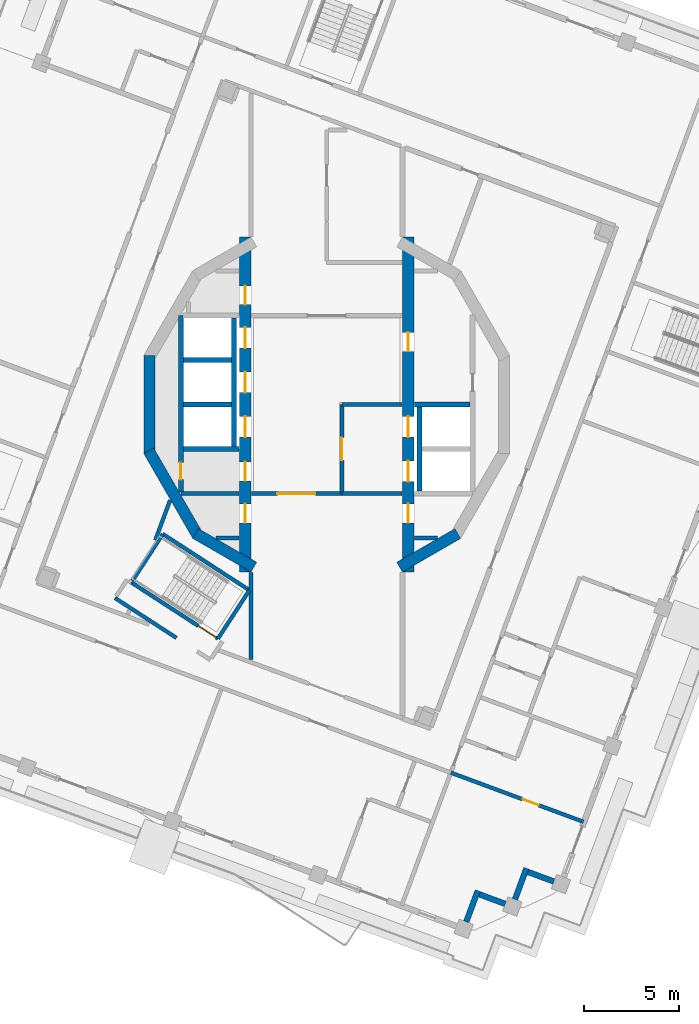
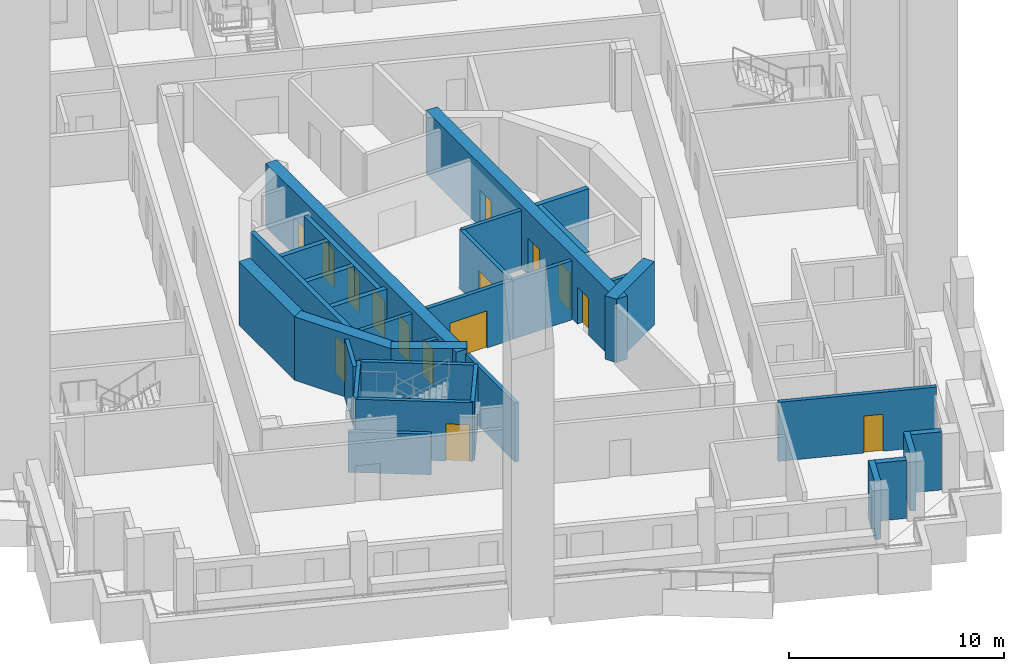
# One storey, part 4 of 20: 32 walls, 15 doors, 15 openings.
"""IFC4 building model written with IfcOpenShell, lengths in metres."""

from ifc_helpers import new_model, si_unit, direction, frame, frame_2d, origin, place, context, subcontext, project, spatial, rectangle, extrude, material, layer, layer_set, type_object, element, fill, save


model = new_model("IFC4")

# Units and contexts
model_context = context("Model", 3, precision=1e-05, world=origin(), true_north=direction((0.0, 1.0)))
body_context = subcontext(model_context, "Body", "Model", "MODEL_VIEW")
ifc_project = project(units=[si_unit("LENGTHUNIT", "METRE"), si_unit("AREAUNIT", "SQUARE_METRE"), si_unit("VOLUMEUNIT", "CUBIC_METRE"), si_unit("PLANEANGLEUNIT", "RADIAN"), si_unit("MASSUNIT", "GRAM", prefix="KILO")], contexts=[model_context])

# Site, building, storey
site_placement = place(None, origin())
site = spatial("IfcSite", under=ifc_project, at=site_placement, CompositionType="ELEMENT")
building_placement = place(site_placement, origin())
building = spatial("IfcBuilding", under=site, at=building_placement, Name="Cantera Rosa Tower", CompositionType="ELEMENT")
storey_placement = place(building_placement, frame((0.0, 0.0, 306.10009765625)))
storey = spatial("IfcBuildingStorey", under=building, at=storey_placement, Name="L67", CompositionType="ELEMENT", Elevation=306.10009765625)

# Walls
ifc_material_1 = material(Name="Gypsum board partition")
ifc_layer_1 = layer(ifc_material_1, 0.199951171875)
ifc_layer_set_1 = layer_set([ifc_layer_1], Name="CORRIDOR WALL 200 H2300")
wall_type_1 = type_object("IfcWallType", Name="CORRIDOR WALL 200 H2300", PredefinedType="PARTITIONING", material=ifc_layer_set_1)
wall_1_placement = place(storey_placement, frame((-11.177490234375, -10.216552734375, 0.0), z_axis=(0.0, 0.0, 1.0), x_axis=(0.83867589464, -0.544630832537, 0.0)))
element("IfcWall", 1, at=wall_1_placement, inside=storey, type_object=wall_type_1, Name="CORRIDOR WALL L67-011", PredefinedType="PARTITIONING", context=body_context, shape_type="SweptSolid", body=[
    extrude(rectangle(XDim=3.864990234375, YDim=0.199951171875, at=frame_2d((1.9326171875, 0.0))), origin(), (0.0, 0.0, 1.0), 2.2998046875),
])
ifc_material_2 = material(Name="Gypsum board partition")
ifc_layer_2 = layer(ifc_material_2, 0.199951171875)
ifc_layer_set_2 = layer_set([ifc_layer_2], Name="CORRIDOR WALL 200 H3350")
wall_type_2 = type_object("IfcWallType", Name="CORRIDOR WALL 200 H3350", PredefinedType="PARTITIONING", material=ifc_layer_set_2)
wall_2_placement = place(storey_placement, frame((-4.0, -13.468017578125, 0.0), z_axis=(0.0, 0.0, 1.0), x_axis=(0.0, 1.0, 0.0)))
element("IfcWall", 2, at=wall_2_placement, inside=storey, type_object=wall_type_2, Name="CORRIDOR WALL L67-044", PredefinedType="PARTITIONING", context=body_context, shape_type="SweptSolid", body=[
    extrude(rectangle(XDim=4.589111328125, YDim=0.199951171875, at=frame_2d((2.29443359375, 0.0))), origin(), (0.0, 0.0, 1.0), 3.349853515625),
])

# Wall, opening, door
wall_3_placement = place(storey_placement, frame((0.800048828125, -4.699951171875, 0.0), z_axis=(0.0, 0.0, 1.0), x_axis=(-1.0, 0.0, 0.0)))
wall_3 = element("IfcWall", 3, at=wall_3_placement, inside=storey, type_object=wall_type_2, Name="CORRIDOR WALL L67-054", PredefinedType="PARTITIONING", context=body_context, shape_type="SweptSolid", body=[
    extrude(rectangle(XDim=4.77001953125, YDim=0.199951171875, at=frame_2d((2.385009765625, 0.0))), origin(), (0.0, 0.0, 1.0), 3.349853515625),
])
opening_1_placement = place(wall_3_placement, frame((1.39990234375, 0.0, 0.0)))
opening_1 = element("IfcOpeningElement", 4, at=opening_1_placement, cuts=wall_3, Name="Opening L67-012", PredefinedType="OPENING", context=body_context, shape_type="SweptSolid", body=[
    extrude(rectangle(XDim=2.0, YDim=2.10009765625, at=frame_2d((1.0, 1.050048828125))), frame((0.0, 0.10986328125, 0.0), z_axis=(0.0, -1.0, 0.0), x_axis=(1.0, 0.0, 0.0)), (0.0, 0.0, 1.0), 0.219970703125),
])
ifc_material_3 = material(Name="Steel S355J2 (EN 10025-2)", Category="steel")
door_type_1 = type_object("IfcDoorType", Name="LOBBY SCREEN DOOR 2000x2100", OperationType="NOTDEFINED", PredefinedType="DOOR", material=ifc_material_3)
door_1_placement = place(opening_1_placement, origin())
door_1 = element("IfcDoor", 5, at=door_1_placement, inside=storey, type_object=door_type_1, Name="DOOR L67-012", OperationType="NOTDEFINED", OverallHeight=2.10009765625, OverallWidth=2.0, PredefinedType="DOOR", context=body_context, shape_type="SweptSolid", body=[
    extrude(rectangle(XDim=2.0, YDim=2.10009765625, at=frame_2d((1.0, 1.050048828125))), frame((0.0, 0.02490234375, 0.0), z_axis=(0.0, -1.0, 0.0), x_axis=(1.0, 0.0, 0.0)), (0.0, 0.0, 1.0), 0.050048828125),
])
fill(opening_1, door_1)

# Walls
ifc_material_4 = material(Name="Hollow clay masonry with cantera stone cladding", Category="masonry")
ifc_layer_3 = layer(ifc_material_4, 0.300048828125)
ifc_layer_set_3 = layer_set([ifc_layer_3], Name="EW-LOGGIA 300")
wall_type_3 = type_object("IfcWallType", Name="EW-LOGGIA 300", PredefinedType="SOLIDWALL", material=ifc_layer_set_3)
wall_4_placement = place(storey_placement, frame((7.36865234375, -27.312255859375, 0.0), z_axis=(0.0, 0.0, 1.0), x_axis=(0.34752790836, 0.937669639538, 0.0)))
element("IfcWall", 6, at=wall_4_placement, inside=storey, type_object=wall_type_3, Name="EN-L67-W18a", PredefinedType="SOLIDWALL", context=body_context, shape_type="SweptSolid", body=[
    extrude(rectangle(XDim=1.75, YDim=0.300048828125, at=frame_2d((0.875, 0.0))), origin(), (0.0, 0.0, 1.0), 3.2998046875),
])
wall_5_placement = place(storey_placement, frame((8.065185546875, -25.8642578125, 0.0), z_axis=(0.0, 0.0, 1.0), x_axis=(0.937671557958, -0.347522732201, 0.0)))
element("IfcWall", 7, at=wall_5_placement, inside=storey, type_object=wall_type_3, Name="EN-L67-W18b", PredefinedType="SOLIDWALL", context=body_context, shape_type="SweptSolid", body=[
    extrude(rectangle(XDim=1.449951171875, YDim=0.300048828125, at=frame_2d((0.72509765625, 0.0))), origin(), (0.0, 0.0, 1.0), 3.2998046875),
])
wall_6_placement = place(storey_placement, frame((9.93896484375, -26.132080078125, 0.0), z_axis=(0.0, 0.0, 1.0), x_axis=(0.34748245117, 0.937686486054, 0.0)))
element("IfcWall", 8, at=wall_6_placement, inside=storey, type_object=wall_type_3, Name="EN-L67-W19a", PredefinedType="SOLIDWALL", context=body_context, shape_type="SweptSolid", body=[
    extrude(rectangle(XDim=1.750244140625, YDim=0.300048828125, at=frame_2d((0.875, 0.0))), origin(), (0.0, 0.0, 1.0), 3.2998046875),
])
wall_7_placement = place(storey_placement, frame((10.635498046875, -24.683837890625, 0.0), z_axis=(0.0, 0.0, 1.0), x_axis=(0.937671557958, -0.347522732201, 0.0)))
element("IfcWall", 9, at=wall_7_placement, inside=storey, type_object=wall_type_3, Name="EN-L67-W19b", PredefinedType="SOLIDWALL", context=body_context, shape_type="SweptSolid", body=[
    extrude(rectangle(XDim=1.449951171875, YDim=0.300048828125, at=frame_2d((0.72509765625, 0.0))), origin(), (0.0, 0.0, 1.0), 3.2998046875),
])
ifc_material_5 = material(Name="Gypsum board partition")
ifc_layer_4 = layer(ifc_material_5, 0.199951171875)
ifc_layer_set_4 = layer_set([ifc_layer_4], Name="PARTITION 200 H3350")
wall_type_4 = type_object("IfcWallType", Name="PARTITION 200 H3350", PredefinedType="PARTITIONING", material=ifc_layer_set_4)
wall_8_placement = place(storey_placement, frame((-8.27099609375, -5.052490234375, 0.0), z_axis=(0.0, 0.0, 1.0), x_axis=(-0.347473745141, -0.937689712239, 0.0)))
element("IfcWall", 10, at=wall_8_placement, inside=storey, type_object=wall_type_4, Name="PARTITION L67-020", PredefinedType="PARTITIONING", context=body_context, shape_type="SweptSolid", body=[
    extrude(rectangle(XDim=2.244873046875, YDim=0.199951171875, at=frame_2d((1.12255859375, 0.0))), origin(), (0.0, 0.0, 1.0), 3.349853515625),
])
wall_9_placement = place(storey_placement, frame((-7.699951171875, -4.699951171875, 0.0), z_axis=(0.0, 0.0, 1.0), x_axis=(1.0, 0.0, 0.0)))
element("IfcWall", 11, at=wall_9_placement, inside=storey, type_object=wall_type_4, Name="PARTITION L67-022", PredefinedType="PARTITIONING", context=body_context, shape_type="SweptSolid", body=[
    extrude(rectangle(XDim=3.070068359375, YDim=0.199951171875, at=frame_2d((1.53515625, 0.0))), origin(), (0.0, 0.0, 1.0), 3.349853515625),
])
for number, where, z_axis, x_axis, name in (
    (12, (-4.6298828125, -7.050048828125, 0.0), (0.0, 0.0, 1.0), (-1.0, 0.0, 0.0), "PARTITION L67-041"),
    (13, (5.84765625, -7.050048828125, 0.0), (0.0, 0.0, 1.0), (-1.0, 0.0, 0.0), "PARTITION L67-075"),
):
    element("IfcWall", number, at=place(storey_placement, frame(where, z_axis=z_axis, x_axis=x_axis)), inside=storey, type_object=wall_type_4, Name=name, PredefinedType="PARTITIONING", context=body_context, shape_type="SweptSolid", body=[
        extrude(rectangle(XDim=1.2177734375, YDim=0.199951171875, at=frame_2d((0.60888671875, 0.0))), origin(), (0.0, 0.0, 1.0), 3.349853515625),
    ])

# Wall, opening, door
wall_10_placement = place(storey_placement, frame((6.5537109375, -19.438720703125, 0.0), z_axis=(0.0, 0.0, 1.0), x_axis=(0.937698682222, -0.347449537859, 0.0)))
wall_10 = element("IfcWall", 14, at=wall_10_placement, inside=storey, type_object=wall_type_4, Name="PARTITION L67-077", PredefinedType="PARTITIONING", context=body_context, shape_type="SweptSolid", body=[
    extrude(rectangle(XDim=7.469970703125, YDim=0.199951171875, at=frame_2d((3.73486328125, 0.0))), origin(), (0.0, 0.0, 1.0), 3.349853515625),
])
opening_2_placement = place(wall_10_placement, frame((4.050048828125, 0.0, 0.0)))
opening_2 = element("IfcOpeningElement", 15, at=opening_2_placement, cuts=wall_10, Name="Opening L67-039", PredefinedType="OPENING", context=body_context, shape_type="SweptSolid", body=[
    extrude(rectangle(XDim=0.89990234375, YDim=2.10009765625, at=frame_2d((0.449951171875, 1.050048828125))), frame((0.0, 0.10986328125, 0.0), z_axis=(0.0, -1.0, 0.0), x_axis=(1.0, 0.0, 0.0)), (0.0, 0.0, 1.0), 0.219970703125),
])
ifc_material_6 = material(Name="Timber door leaf", Category="wood")
door_type_2 = type_object("IfcDoorType", Name="ROOM DOOR 900x2100", OperationType="NOTDEFINED", PredefinedType="DOOR", material=ifc_material_6)
door_2_placement = place(opening_2_placement, origin())
door_2 = element("IfcDoor", 16, at=door_2_placement, inside=storey, type_object=door_type_2, Name="DOOR L67-039", OperationType="NOTDEFINED", OverallHeight=2.10009765625, OverallWidth=0.89990234375, PredefinedType="DOOR", context=body_context, shape_type="SweptSolid", body=[
    extrude(rectangle(XDim=0.89990234375, YDim=2.10009765625, at=frame_2d((0.449951171875, 1.050048828125))), frame((0.0, 0.02490234375, 0.0), z_axis=(0.0, -1.0, 0.0), x_axis=(1.0, 0.0, 0.0)), (0.0, 0.0, 1.0), 0.050048828125),
])
fill(opening_2, door_2)

# Walls
ifc_material_7 = material(Name="Concrete C50/60", Category="concrete")
ifc_layer_5 = layer(ifc_material_7, 0.60009765625)
ifc_layer_set_5 = layer_set([ifc_layer_5], Name="RC CORE WALL 600 C50/60")
wall_type_5 = type_object("IfcWallType", Name="RC CORE WALL 600 C50/60", PredefinedType="SHEAR", material=ifc_layer_set_5)
wall_11_placement = place(storey_placement, frame((-3.85009765625, -8.584228515625, 0.0), z_axis=(0.0, 0.0, 1.0), x_axis=(-0.866039982607, 0.499974747889, 0.0)))
element("IfcWall", 17, at=wall_11_placement, inside=storey, type_object=wall_type_5, Name="CW-W1 L67", PredefinedType="SHEAR", context=body_context, shape_type="SweptSolid", body=[
    extrude(rectangle(XDim=3.546142578125, YDim=0.60009765625, at=frame_2d((1.77294921875, 0.0))), origin(), (0.0, 0.0, 1.0), 3.599853515625),
])
for number, where, z_axis, x_axis, name in (
    (18, (-6.811279296875, -6.921142578125, 0.0), (0.0, 0.0, 1.0), (-0.499989188378, 0.866031645787, 0.0), "CW-W2 L67"),
    (19, (-9.359375, -2.588134765625, 0.0), (0.0, 0.0, 1.0), (0.0, 1.0, 0.0), "CW-W3 L67"),
):
    element("IfcWall", number, at=place(storey_placement, frame(where, z_axis=z_axis, x_axis=x_axis)), inside=storey, type_object=wall_type_5, Name=name, PredefinedType="SHEAR", context=body_context, shape_type="SweptSolid", body=[
        extrude(rectangle(XDim=5.17626953125, YDim=0.60009765625, at=frame_2d((2.588134765625, 0.0))), origin(), (0.0, 0.0, 1.0), 3.599853515625),
    ])

# Wall, openings, doors
wall_12_placement = place(storey_placement, frame((-4.300048828125, 8.84423828125, 0.0), z_axis=(0.0, 0.0, 1.0), x_axis=(0.0, -1.0, 0.0)))
wall_12 = element("IfcWall", 20, at=wall_12_placement, inside=storey, type_object=wall_type_5, Name="CW-W6 L67", PredefinedType="SHEAR", context=body_context, shape_type="SweptSolid", body=[
    extrude(rectangle(XDim=17.6884765625, YDim=0.60009765625, at=frame_2d((8.84423828125, 0.0))), origin(), (0.0, 0.0, 1.0), 3.599853515625),
])
opening_3_placement = place(wall_12_placement, frame((9.468994140625, 0.0, 0.0)))
opening_3 = element("IfcOpeningElement", 21, at=opening_3_placement, cuts=wall_12, Name="Opening LD-H1-L67", PredefinedType="OPENING", context=body_context, shape_type="SweptSolid", body=[
    extrude(rectangle(XDim=1.10009765625, YDim=2.10009765625, at=frame_2d((0.550048828125, 1.050048828125))), frame((0.0, 0.31005859375, 0.0), z_axis=(0.0, -1.0, 0.0), x_axis=(1.0, 0.0, 0.0)), (0.0, 0.0, 1.0), 0.6201171875),
])
opening_4_placement = place(wall_12_placement, frame((7.119140625, 0.0, 0.0)))
opening_4 = element("IfcOpeningElement", 22, at=opening_4_placement, cuts=wall_12, Name="Opening LD-H2-L67", PredefinedType="OPENING", context=body_context, shape_type="SweptSolid", body=[
    extrude(rectangle(XDim=1.10009765625, YDim=2.10009765625, at=frame_2d((0.550048828125, 1.050048828125))), frame((0.0, 0.31005859375, 0.0), z_axis=(0.0, -1.0, 0.0), x_axis=(1.0, 0.0, 0.0)), (0.0, 0.0, 1.0), 0.6201171875),
])
opening_5_placement = place(wall_12_placement, frame((4.76904296875, 0.0, 0.0)))
opening_5 = element("IfcOpeningElement", 23, at=opening_5_placement, cuts=wall_12, Name="Opening LD-H3-L67", PredefinedType="OPENING", context=body_context, shape_type="SweptSolid", body=[
    extrude(rectangle(XDim=1.10009765625, YDim=2.10009765625, at=frame_2d((0.550048828125, 1.050048828125))), frame((0.0, 0.31005859375, 0.0), z_axis=(0.0, -1.0, 0.0), x_axis=(1.0, 0.0, 0.0)), (0.0, 0.0, 1.0), 0.6201171875),
])
opening_6_placement = place(wall_12_placement, frame((14.091552734375, 0.0, 0.0)))
opening_6 = element("IfcOpeningElement", 24, at=opening_6_placement, cuts=wall_12, Name="Opening SD-L67-15", PredefinedType="OPENING", context=body_context, shape_type="SweptSolid", body=[
    extrude(rectangle(XDim=1.0, YDim=2.10009765625, at=frame_2d((0.5, 1.050048828125))), frame((0.0, 0.31005859375, 0.0), z_axis=(0.0, -1.0, 0.0), x_axis=(1.0, 0.0, 0.0)), (0.0, 0.0, 1.0), 0.6201171875),
])
opening_7_placement = place(wall_12_placement, frame((2.572265625, 0.0, 0.0)))
opening_7 = element("IfcOpeningElement", 25, at=opening_7_placement, cuts=wall_12, Name="Opening SD-L67-16", PredefinedType="OPENING", context=body_context, shape_type="SweptSolid", body=[
    extrude(rectangle(XDim=1.0, YDim=2.10009765625, at=frame_2d((0.5, 1.050048828125))), frame((0.0, 0.31005859375, 0.0), z_axis=(0.0, -1.0, 0.0), x_axis=(1.0, 0.0, 0.0)), (0.0, 0.0, 1.0), 0.6201171875),
])
opening_8_placement = place(wall_12_placement, frame((11.869140625, 0.0, 0.0)))
opening_8 = element("IfcOpeningElement", 26, at=opening_8_placement, cuts=wall_12, Name="Opening SD-L67-17", PredefinedType="OPENING", context=body_context, shape_type="SweptSolid", body=[
    extrude(rectangle(XDim=1.0, YDim=2.10009765625, at=frame_2d((0.5, 1.050048828125))), frame((0.0, 0.31005859375, 0.0), z_axis=(0.0, -1.0, 0.0), x_axis=(1.0, 0.0, 0.0)), (0.0, 0.0, 1.0), 0.6201171875),
])
ifc_material_8 = material(Name="Steel S355J2 (EN 10025-2)", Category="steel")
door_type_3 = type_object("IfcDoorType", Name="LANDING DOOR 1100x2100", OperationType="NOTDEFINED", PredefinedType="DOOR", material=ifc_material_8)
door_3_placement = place(opening_3_placement, origin())
door_3 = element("IfcDoor", 27, at=door_3_placement, inside=storey, type_object=door_type_3, Name="LANDING DOOR H1 L67", OperationType="SLIDING_TO_LEFT", OverallHeight=2.10009765625, OverallWidth=1.10009765625, PredefinedType="DOOR", context=body_context, shape_type="SweptSolid", body=[
    extrude(rectangle(XDim=1.10009765625, YDim=2.10009765625, at=frame_2d((0.550048828125, 1.050048828125))), frame((0.0, 0.02490234375, 0.0), z_axis=(0.0, -1.0, 0.0), x_axis=(1.0, 0.0, 0.0)), (0.0, 0.0, 1.0), 0.050048828125),
])
fill(opening_3, door_3)
door_4_placement = place(opening_4_placement, origin())
door_4 = element("IfcDoor", 28, at=door_4_placement, inside=storey, type_object=door_type_3, Name="LANDING DOOR H2 L67", OperationType="SLIDING_TO_LEFT", OverallHeight=2.10009765625, OverallWidth=1.10009765625, PredefinedType="DOOR", context=body_context, shape_type="SweptSolid", body=[
    extrude(rectangle(XDim=1.10009765625, YDim=2.10009765625, at=frame_2d((0.550048828125, 1.050048828125))), frame((0.0, 0.02490234375, 0.0), z_axis=(0.0, -1.0, 0.0), x_axis=(1.0, 0.0, 0.0)), (0.0, 0.0, 1.0), 0.050048828125),
])
fill(opening_4, door_4)
door_5_placement = place(opening_5_placement, origin())
door_5 = element("IfcDoor", 29, at=door_5_placement, inside=storey, type_object=door_type_3, Name="LANDING DOOR H3 L67", OperationType="SLIDING_TO_LEFT", OverallHeight=2.10009765625, OverallWidth=1.10009765625, PredefinedType="DOOR", context=body_context, shape_type="SweptSolid", body=[
    extrude(rectangle(XDim=1.10009765625, YDim=2.10009765625, at=frame_2d((0.550048828125, 1.050048828125))), frame((0.0, 0.02490234375, 0.0), z_axis=(0.0, -1.0, 0.0), x_axis=(1.0, 0.0, 0.0)), (0.0, 0.0, 1.0), 0.050048828125),
])
fill(opening_5, door_5)
ifc_material_9 = material(Name="Timber door leaf", Category="wood")
door_type_4 = type_object("IfcDoorType", Name="SERVICE DOOR 1000x2100", OperationType="NOTDEFINED", PredefinedType="DOOR", material=ifc_material_9)
door_6_placement = place(opening_6_placement, origin())
door_6 = element("IfcDoor", 30, at=door_6_placement, inside=storey, type_object=door_type_4, Name="DOOR L67-SD15", OperationType="NOTDEFINED", OverallHeight=2.10009765625, OverallWidth=1.0, PredefinedType="DOOR", context=body_context, shape_type="SweptSolid", body=[
    extrude(rectangle(XDim=1.0, YDim=2.10009765625, at=frame_2d((0.5, 1.050048828125))), frame((0.0, 0.02490234375, 0.0), z_axis=(0.0, -1.0, 0.0), x_axis=(1.0, 0.0, 0.0)), (0.0, 0.0, 1.0), 0.050048828125),
])
fill(opening_6, door_6)
door_7_placement = place(opening_7_placement, origin())
door_7 = element("IfcDoor", 31, at=door_7_placement, inside=storey, type_object=door_type_4, Name="DOOR L67-SD16", OperationType="NOTDEFINED", OverallHeight=2.10009765625, OverallWidth=1.0, PredefinedType="DOOR", context=body_context, shape_type="SweptSolid", body=[
    extrude(rectangle(XDim=1.0, YDim=2.10009765625, at=frame_2d((0.5, 1.050048828125))), frame((0.0, 0.02490234375, 0.0), z_axis=(0.0, -1.0, 0.0), x_axis=(1.0, 0.0, 0.0)), (0.0, 0.0, 1.0), 0.050048828125),
])
fill(opening_7, door_7)
door_8_placement = place(opening_8_placement, origin())
door_8 = element("IfcDoor", 32, at=door_8_placement, inside=storey, type_object=door_type_4, Name="DOOR L67-SD17", OperationType="NOTDEFINED", OverallHeight=2.10009765625, OverallWidth=1.0, PredefinedType="DOOR", context=body_context, shape_type="SweptSolid", body=[
    extrude(rectangle(XDim=1.0, YDim=2.10009765625, at=frame_2d((0.5, 1.050048828125))), frame((0.0, 0.02490234375, 0.0), z_axis=(0.0, -1.0, 0.0), x_axis=(1.0, 0.0, 0.0)), (0.0, 0.0, 1.0), 0.050048828125),
])
fill(opening_8, door_8)

# Wall
wall_13_placement = place(storey_placement, frame((6.921142578125, -6.811279296875, 0.0), z_axis=(0.0, 0.0, 1.0), x_axis=(-0.866039982607, -0.499974747889, 0.0)))
element("IfcWall", 33, at=wall_13_placement, inside=storey, type_object=wall_type_5, Name="CW-E5 L67", PredefinedType="SHEAR", context=body_context, shape_type="SweptSolid", body=[
    extrude(rectangle(XDim=3.546142578125, YDim=0.60009765625, at=frame_2d((1.77294921875, 0.0))), origin(), (0.0, 0.0, 1.0), 3.599853515625),
])

# Wall, openings, doors
wall_14_placement = place(storey_placement, frame((4.300048828125, -8.84423828125, 0.0), z_axis=(0.0, 0.0, 1.0), x_axis=(0.0, 1.0, 0.0)))
wall_14 = element("IfcWall", 34, at=wall_14_placement, inside=storey, type_object=wall_type_5, Name="CW-E6 L67", PredefinedType="SHEAR", context=body_context, shape_type="SweptSolid", body=[
    extrude(rectangle(XDim=17.6884765625, YDim=0.60009765625, at=frame_2d((8.84423828125, 0.0))), origin(), (0.0, 0.0, 1.0), 3.599853515625),
])
opening_9_placement = place(wall_14_placement, frame((4.76904296875, 0.0, 0.0)))
opening_9 = element("IfcOpeningElement", 35, at=opening_9_placement, cuts=wall_14, Name="Opening LD-FF1-L67", PredefinedType="OPENING", context=body_context, shape_type="SweptSolid", body=[
    extrude(rectangle(XDim=1.10009765625, YDim=2.10009765625, at=frame_2d((0.550048828125, 1.050048828125))), frame((0.0, 0.31005859375, 0.0), z_axis=(0.0, -1.0, 0.0), x_axis=(1.0, 0.0, 0.0)), (0.0, 0.0, 1.0), 0.6201171875),
])
opening_10_placement = place(wall_14_placement, frame((7.119140625, 0.0, 0.0)))
opening_10 = element("IfcOpeningElement", 36, at=opening_10_placement, cuts=wall_14, Name="Opening LD-FF2-L67", PredefinedType="OPENING", context=body_context, shape_type="SweptSolid", body=[
    extrude(rectangle(XDim=1.10009765625, YDim=2.10009765625, at=frame_2d((0.550048828125, 1.050048828125))), frame((0.0, 0.31005859375, 0.0), z_axis=(0.0, -1.0, 0.0), x_axis=(1.0, 0.0, 0.0)), (0.0, 0.0, 1.0), 0.6201171875),
])
opening_11_placement = place(wall_14_placement, frame((2.5966796875, 0.0, 0.0)))
opening_11 = element("IfcOpeningElement", 37, at=opening_11_placement, cuts=wall_14, Name="Opening SD-L67-18", PredefinedType="OPENING", context=body_context, shape_type="SweptSolid", body=[
    extrude(rectangle(XDim=1.0, YDim=2.10009765625, at=frame_2d((0.5, 1.050048828125))), frame((0.0, 0.31005859375, 0.0), z_axis=(0.0, -1.0, 0.0), x_axis=(1.0, 0.0, 0.0)), (0.0, 0.0, 1.0), 0.6201171875),
])
opening_12_placement = place(wall_14_placement, frame((11.6494140625, 0.0, 0.0)))
opening_12 = element("IfcOpeningElement", 38, at=opening_12_placement, cuts=wall_14, Name="Opening SD-L67-19", PredefinedType="OPENING", context=body_context, shape_type="SweptSolid", body=[
    extrude(rectangle(XDim=1.0, YDim=2.10009765625, at=frame_2d((0.5, 1.050048828125))), frame((0.0, 0.31005859375, 0.0), z_axis=(0.0, -1.0, 0.0), x_axis=(1.0, 0.0, 0.0)), (0.0, 0.0, 1.0), 0.6201171875),
])
door_9_placement = place(opening_9_placement, origin())
door_9 = element("IfcDoor", 39, at=door_9_placement, inside=storey, type_object=door_type_3, Name="LANDING DOOR FF1 L67", OperationType="SLIDING_TO_LEFT", OverallHeight=2.10009765625, OverallWidth=1.10009765625, PredefinedType="DOOR", context=body_context, shape_type="SweptSolid", body=[
    extrude(rectangle(XDim=1.10009765625, YDim=2.10009765625, at=frame_2d((0.550048828125, 1.050048828125))), frame((0.0, 0.02490234375, 0.0), z_axis=(0.0, -1.0, 0.0), x_axis=(1.0, 0.0, 0.0)), (0.0, 0.0, 1.0), 0.050048828125),
])
fill(opening_9, door_9)
door_10_placement = place(opening_10_placement, origin())
door_10 = element("IfcDoor", 40, at=door_10_placement, inside=storey, type_object=door_type_3, Name="LANDING DOOR FF2 L67", OperationType="SLIDING_TO_LEFT", OverallHeight=2.10009765625, OverallWidth=1.10009765625, PredefinedType="DOOR", context=body_context, shape_type="SweptSolid", body=[
    extrude(rectangle(XDim=1.10009765625, YDim=2.10009765625, at=frame_2d((0.550048828125, 1.050048828125))), frame((0.0, 0.02490234375, 0.0), z_axis=(0.0, -1.0, 0.0), x_axis=(1.0, 0.0, 0.0)), (0.0, 0.0, 1.0), 0.050048828125),
])
fill(opening_10, door_10)
door_11_placement = place(opening_11_placement, origin())
door_11 = element("IfcDoor", 41, at=door_11_placement, inside=storey, type_object=door_type_4, Name="DOOR L67-SD18", OperationType="NOTDEFINED", OverallHeight=2.10009765625, OverallWidth=1.0, PredefinedType="DOOR", context=body_context, shape_type="SweptSolid", body=[
    extrude(rectangle(XDim=1.0, YDim=2.10009765625, at=frame_2d((0.5, 1.050048828125))), frame((0.0, 0.02490234375, 0.0), z_axis=(0.0, -1.0, 0.0), x_axis=(1.0, 0.0, 0.0)), (0.0, 0.0, 1.0), 0.050048828125),
])
fill(opening_11, door_11)
door_12_placement = place(opening_12_placement, origin())
door_12 = element("IfcDoor", 42, at=door_12_placement, inside=storey, type_object=door_type_4, Name="DOOR L67-SD19", OperationType="NOTDEFINED", OverallHeight=2.10009765625, OverallWidth=1.0, PredefinedType="DOOR", context=body_context, shape_type="SweptSolid", body=[
    extrude(rectangle(XDim=1.0, YDim=2.10009765625, at=frame_2d((0.5, 1.050048828125))), frame((0.0, 0.02490234375, 0.0), z_axis=(0.0, -1.0, 0.0), x_axis=(1.0, 0.0, 0.0)), (0.0, 0.0, 1.0), 0.050048828125),
])
fill(opening_12, door_12)

# Walls
ifc_material_10 = material(Name="Masonry blockwork", Category="masonry")
ifc_layer_6 = layer(ifc_material_10, 0.25)
ifc_layer_set_6 = layer_set([ifc_layer_6], Name="SHAFT WALL 250 H3350")
wall_type_6 = type_object("IfcWallType", Name="SHAFT WALL 250 H3350", PredefinedType="SOLIDWALL", material=ifc_layer_set_6)
for number, where, z_axis, x_axis, name in (
    (43, (-7.574951171875, 0.0, 0.0), (0.0, 0.0, 1.0), (1.0, 0.0, 0.0), "SHAFT WALL L67-023"),
    (44, (-7.574951171875, 2.35009765625, 0.0), (0.0, 0.0, 1.0), (1.0, 0.0, 0.0), "SHAFT WALL L67-024"),
):
    element("IfcWall", number, at=place(storey_placement, frame(where, z_axis=z_axis, x_axis=x_axis)), inside=storey, type_object=wall_type_6, Name=name, PredefinedType="SOLIDWALL", context=body_context, shape_type="SweptSolid", body=[
        extrude(rectangle(XDim=2.554931640625, YDim=0.25, at=frame_2d((1.27734375, 0.0))), origin(), (0.0, 0.0, 1.0), 3.349853515625),
    ])

# Wall, opening, door
wall_15_placement = place(storey_placement, frame((-7.699951171875, 4.699951171875, 0.0), z_axis=(0.0, 0.0, 1.0), x_axis=(0.0, -1.0, 0.0)))
wall_15 = element("IfcWall", 45, at=wall_15_placement, inside=storey, type_object=wall_type_6, Name="SHAFT WALL L67-025", PredefinedType="SOLIDWALL", context=body_context, shape_type="SweptSolid", body=[
    extrude(rectangle(XDim=9.320068359375, YDim=0.25, at=frame_2d((4.66015625, 0.0))), origin(), (0.0, 0.0, 1.0), 3.349853515625),
])
opening_13_placement = place(wall_15_placement, frame((7.7705078125, 0.0, 0.0)))
opening_13 = element("IfcOpeningElement", 46, at=opening_13_placement, cuts=wall_15, Name="Opening L67-043", PredefinedType="OPENING", context=body_context, shape_type="SweptSolid", body=[
    extrude(rectangle(XDim=0.89990234375, YDim=2.10009765625, at=frame_2d((0.449951171875, 1.050048828125))), frame((0.0, 0.135009765625, 0.0), z_axis=(0.0, -1.0, 0.0), x_axis=(1.0, 0.0, 0.0)), (0.0, 0.0, 1.0), 0.27001953125),
])
ifc_material_11 = material(Name="Timber door leaf", Category="wood")
door_type_5 = type_object("IfcDoorType", Name="SERVICE DOOR 900x2100", OperationType="NOTDEFINED", PredefinedType="DOOR", material=ifc_material_11)
door_13_placement = place(opening_13_placement, origin())
door_13 = element("IfcDoor", 47, at=door_13_placement, inside=storey, type_object=door_type_5, Name="RISER DOOR L67-043", OperationType="NOTDEFINED", OverallHeight=2.10009765625, OverallWidth=0.89990234375, PredefinedType="DOOR", context=body_context, shape_type="SweptSolid", body=[
    extrude(rectangle(XDim=0.89990234375, YDim=2.10009765625, at=frame_2d((0.449951171875, 1.050048828125))), frame((0.0, 0.02490234375, 0.0), z_axis=(0.0, -1.0, 0.0), x_axis=(1.0, 0.0, 0.0)), (0.0, 0.0, 1.0), 0.050048828125),
])
fill(opening_13, door_13)

# Walls
wall_16_placement = place(storey_placement, frame((-4.89990234375, -2.22509765625, 0.0), z_axis=(0.0, 0.0, 1.0), x_axis=(0.0, 1.0, 0.0)))
element("IfcWall", 48, at=wall_16_placement, inside=storey, type_object=wall_type_6, Name="SHAFT WALL L67-040", PredefinedType="SOLIDWALL", context=body_context, shape_type="SweptSolid", body=[
    extrude(rectangle(XDim=6.800048828125, YDim=0.25, at=frame_2d((3.39990234375, 0.0))), origin(), (0.0, 0.0, 1.0), 3.349853515625),
])
for number, where, z_axis, x_axis, name in (
    (49, (-4.6298828125, -2.35009765625, 0.0), (0.0, 0.0, 1.0), (-1.0, 0.0, 0.0), "SHAFT WALL L67-042"),
    (50, (4.6298828125, 0.0, 0.0), (0.0, 0.0, 1.0), (1.0, 0.0, 0.0), "SHAFT WALL L67-067"),
):
    element("IfcWall", number, at=place(storey_placement, frame(where, z_axis=z_axis, x_axis=x_axis)), inside=storey, type_object=wall_type_6, Name=name, PredefinedType="SOLIDWALL", context=body_context, shape_type="SweptSolid", body=[
        extrude(rectangle(XDim=2.945068359375, YDim=0.25, at=frame_2d((1.47265625, 0.0))), origin(), (0.0, 0.0, 1.0), 3.349853515625),
    ])
wall_17_placement = place(storey_placement, frame((4.89990234375, -0.125, 0.0), z_axis=(0.0, 0.0, 1.0), x_axis=(0.0, -1.0, 0.0)))
element("IfcWall", 51, at=wall_17_placement, inside=storey, type_object=wall_type_6, Name="SHAFT WALL L67-070", PredefinedType="SOLIDWALL", context=body_context, shape_type="SweptSolid", body=[
    extrude(rectangle(XDim=4.449951171875, YDim=0.25, at=frame_2d((2.22509765625, 0.0))), origin(), (0.0, 0.0, 1.0), 3.349853515625),
])
ifc_material_12 = material(Name="Concrete C50/60", Category="concrete")
ifc_layer_7 = layer(ifc_material_12, 0.199951171875)
ifc_layer_set_7 = layer_set([ifc_layer_7], Name="STAIR WALL 200 H3350")
wall_type_7 = type_object("IfcWallType", Name="STAIR WALL 200 H3350", PredefinedType="SOLIDWALL", material=ifc_layer_set_7)
wall_18_placement = place(storey_placement, frame((-8.65478515625, -6.8369140625, 0.0), z_axis=(0.0, 0.0, 1.0), x_axis=(-0.544647854685, -0.838664840319, 0.0)))
element("IfcWall", 52, at=wall_18_placement, inside=storey, type_object=wall_type_7, Name="STAIR WALL L67-018", PredefinedType="SOLIDWALL", context=body_context, shape_type="SweptSolid", body=[
    extrude(rectangle(XDim=3.0498046875, YDim=0.199951171875, at=frame_2d((1.52490234375, 0.0))), origin(), (0.0, 0.0, 1.0), 3.349853515625),
])
wall_19_placement = place(storey_placement, frame((-8.65478515625, -6.8369140625, 0.0), z_axis=(0.0, 0.0, 1.0), x_axis=(0.838674843592, -0.544632451041, 0.0)))
element("IfcWall", 53, at=wall_19_placement, inside=storey, type_object=wall_type_7, Name="STAIR WALL L67-019", PredefinedType="SOLIDWALL", context=body_context, shape_type="SweptSolid", body=[
    extrude(rectangle(XDim=5.449951171875, YDim=0.199951171875, at=frame_2d((2.72509765625, 0.0))), origin(), (0.0, 0.0, 1.0), 3.349853515625),
])

# Wall, opening, door
wall_20_placement = place(storey_placement, frame((-5.7451171875, -12.363037109375, 0.0), z_axis=(0.0, 0.0, 1.0), x_axis=(-0.838674843592, 0.544632451041, 0.0)))
wall_20 = element("IfcWall", 54, at=wall_20_placement, inside=storey, type_object=wall_type_7, Name="STAIR WALL L67-036", PredefinedType="SOLIDWALL", context=body_context, shape_type="SweptSolid", body=[
    extrude(rectangle(XDim=5.449951171875, YDim=0.199951171875, at=frame_2d((2.72509765625, 0.0))), origin(), (0.0, 0.0, 1.0), 3.349853515625),
])
opening_14_placement = place(wall_20_placement, frame((0.1298828125, 0.0, 0.0)))
opening_14 = element("IfcOpeningElement", 55, at=opening_14_placement, cuts=wall_20, Name="Opening L67-004", PredefinedType="OPENING", context=body_context, shape_type="SweptSolid", body=[
    extrude(rectangle(XDim=1.10009765625, YDim=2.10009765625, at=frame_2d((0.550048828125, 1.050048828125))), frame((0.0, 0.10986328125, 0.0), z_axis=(0.0, -1.0, 0.0), x_axis=(1.0, 0.0, 0.0)), (0.0, 0.0, 1.0), 0.219970703125),
])
ifc_material_13 = material(Name="Steel S355J2 (EN 10025-2)", Category="steel")
door_type_6 = type_object("IfcDoorType", Name="STAIR DOOR 1100x2100", OperationType="NOTDEFINED", PredefinedType="DOOR", material=ifc_material_13)
door_14_placement = place(opening_14_placement, origin())
door_14 = element("IfcDoor", 56, at=door_14_placement, inside=storey, type_object=door_type_6, Name="DOOR L67-004", OperationType="NOTDEFINED", OverallHeight=2.10009765625, OverallWidth=1.10009765625, PredefinedType="DOOR", context=body_context, shape_type="SweptSolid", body=[
    extrude(rectangle(XDim=1.10009765625, YDim=2.10009765625, at=frame_2d((0.550048828125, 1.050048828125))), frame((0.0, 0.02490234375, 0.0), z_axis=(0.0, -1.0, 0.0), x_axis=(1.0, 0.0, 0.0)), (0.0, 0.0, 1.0), 0.050048828125),
])
fill(opening_14, door_14)

# Wall
wall_21_placement = place(storey_placement, frame((-4.083984375, -9.80517578125, 0.0), z_axis=(0.0, 0.0, 1.0), x_axis=(-0.544647854685, -0.838664840319, 0.0)))
element("IfcWall", 57, at=wall_21_placement, inside=storey, type_object=wall_type_7, Name="STAIR WALL L67-043", PredefinedType="SOLIDWALL", context=body_context, shape_type="SweptSolid", body=[
    extrude(rectangle(XDim=3.0498046875, YDim=0.199951171875, at=frame_2d((1.52490234375, 0.0))), origin(), (0.0, 0.0, 1.0), 3.349853515625),
])

# Wall, opening, door
wall_22_placement = place(storey_placement, frame((0.800048828125, -4.699951171875, 0.0), z_axis=(0.0, 0.0, 1.0), x_axis=(0.0, 1.0, 0.0)))
wall_22 = element("IfcWall", 58, at=wall_22_placement, inside=storey, type_object=wall_type_7, Name="STAIR WALL L67-055", PredefinedType="SOLIDWALL", context=body_context, shape_type="SweptSolid", body=[
    extrude(rectangle(XDim=4.699951171875, YDim=0.199951171875, at=frame_2d((2.35009765625, 0.0))), origin(), (0.0, 0.0, 1.0), 3.349853515625),
])
opening_15_placement = place(wall_22_placement, frame((1.75, 0.0, 0.0)))
opening_15 = element("IfcOpeningElement", 59, at=opening_15_placement, cuts=wall_22, Name="Opening L67-013", PredefinedType="OPENING", context=body_context, shape_type="SweptSolid", body=[
    extrude(rectangle(XDim=1.199951171875, YDim=2.10009765625, at=frame_2d((0.60009765625, 1.050048828125))), frame((0.0, 0.10986328125, 0.0), z_axis=(0.0, -1.0, 0.0), x_axis=(1.0, 0.0, 0.0)), (0.0, 0.0, 1.0), 0.219970703125),
])
ifc_material_14 = material(Name="Steel S355J2 (EN 10025-2)", Category="steel")
door_type_7 = type_object("IfcDoorType", Name="FIRE DOOR 1200x2100", OperationType="NOTDEFINED", PredefinedType="DOOR", material=ifc_material_14)
door_15_placement = place(opening_15_placement, origin())
door_15 = element("IfcDoor", 60, at=door_15_placement, inside=storey, type_object=door_type_7, Name="DOOR L67-013", OperationType="NOTDEFINED", OverallHeight=2.10009765625, OverallWidth=1.199951171875, PredefinedType="DOOR", context=body_context, shape_type="SweptSolid", body=[
    extrude(rectangle(XDim=1.199951171875, YDim=2.10009765625, at=frame_2d((0.60009765625, 1.050048828125))), frame((0.0, 0.02490234375, 0.0), z_axis=(0.0, -1.0, 0.0), x_axis=(1.0, 0.0, 0.0)), (0.0, 0.0, 1.0), 0.050048828125),
])
fill(opening_15, door_15)

# Walls
for number, where, z_axis, x_axis, name in (
    (61, (0.800048828125, 0.0, 0.0), (0.0, 0.0, 1.0), (1.0, 0.0, 0.0), "STAIR WALL L67-056"),
    (62, (3.969970703125, -4.699951171875, 0.0), (0.0, 0.0, 1.0), (-1.0, 0.0, 0.0), "STAIR WALL L67-062"),
):
    element("IfcWall", number, at=place(storey_placement, frame(where, z_axis=z_axis, x_axis=x_axis)), inside=storey, type_object=wall_type_7, Name=name, PredefinedType="SOLIDWALL", context=body_context, shape_type="SweptSolid", body=[
        extrude(rectangle(XDim=3.169921875, YDim=0.199951171875, at=frame_2d((1.5849609375, 0.0))), origin(), (0.0, 0.0, 1.0), 3.349853515625),
    ])

save(model, "model.ifc")
